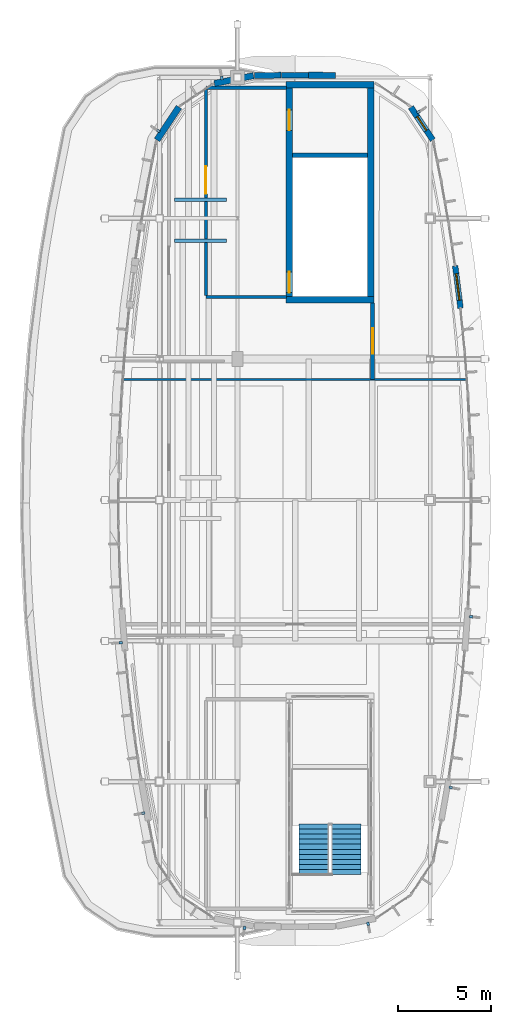
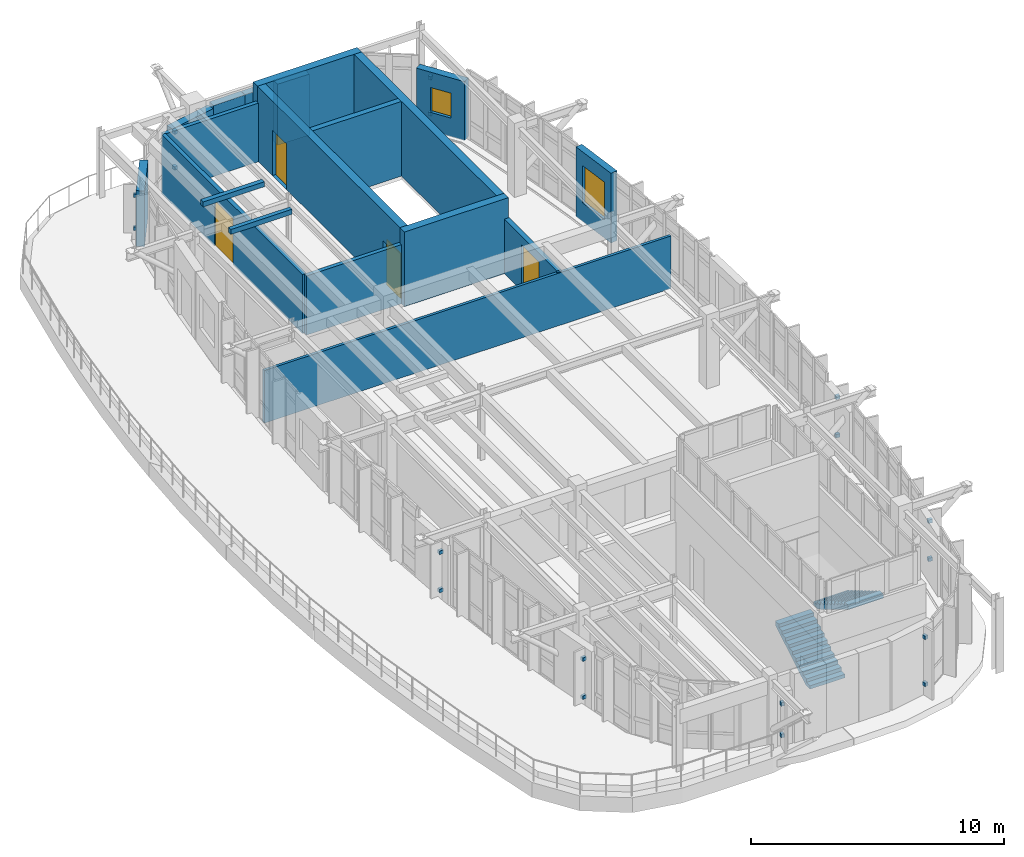
# One storey, part 17 of 20: 19 walls, 18 discrete accessories, 4 doors, 2 stair flights, 2 windows, 6 openings, 1 element without a shape of its own.
"""IFC4 building model written with IfcOpenShell, lengths in metres."""

from ifc_helpers import new_model, si_unit, direction, frame, frame_2d, origin, origin_2d, place, context, subcontext, project, spatial, polyline, rectangle, outline, extrude, material, layer, layer_set, type_object, element, fill, aggregate, save


model = new_model("IFC4")

# Units and contexts
model_context = context("Model", 3, precision=1e-05, world=origin(), true_north=direction((0.0, 1.0)))
body_context = subcontext(model_context, "Body", "Model", "MODEL_VIEW")
ifc_project = project(units=[si_unit("LENGTHUNIT", "METRE"), si_unit("AREAUNIT", "SQUARE_METRE"), si_unit("VOLUMEUNIT", "CUBIC_METRE"), si_unit("PLANEANGLEUNIT", "RADIAN"), si_unit("MASSUNIT", "GRAM", prefix="KILO")], contexts=[model_context])

# Site, building, storey
site_placement = place(None, origin())
site = spatial("IfcSite", under=ifc_project, at=site_placement, CompositionType="ELEMENT")
building_placement = place(site_placement, origin())
building = spatial("IfcBuilding", under=site, at=building_placement, Name="Corveleigh Park Community Centre", CompositionType="ELEMENT")
storey_placement = place(building_placement, frame((0.0, 0.0, 19.800048828125)))
storey = spatial("IfcBuildingStorey", under=building, at=storey_placement, Name="L05", CompositionType="ELEMENT", Elevation=19.800048828125)

# Wall, opening, window
ifc_material_1 = material(Name="Precast concrete C40/50", Category="concrete")
ifc_layer_1 = layer(ifc_material_1, 0.300048828125, Name="Precast concrete C40/50", Category="concrete")
ifc_layer_set_1 = layer_set([ifc_layer_1], Name="Precast concrete C40/50")
wall_type_1 = type_object("IfcWallType", Name="WL-EXT-300", PredefinedType="STANDARD", material=ifc_layer_set_1)
wall_1_placement = place(storey_placement, frame((169.7490234375, 94.034912109375, 0.0), z_axis=(0.0, 0.0, 1.0), x_axis=(0.124832313753, -0.992177853735, 0.0)))
wall_1 = element("IfcWall", 1, at=wall_1_placement, inside=storey, type_object=wall_type_1, Name="V4 L05 Precast Facade Wall", PredefinedType="STANDARD", context=body_context, shape_type="SweptSolid", body=[
    extrude(rectangle(XDim=2.298095703125, YDim=0.300048828125, at=frame_2d((1.14892578125, 0.0))), origin(), (0.0, 0.0, 1.0), 3.364013671875),
])
opening_1_placement = place(wall_1_placement, frame((0.424072265625, 0.0, 0.89990234375)))
opening_1 = element("IfcOpeningElement", 2, at=opening_1_placement, cuts=wall_1, Name="Opening W10", PredefinedType="OPENING", context=body_context, shape_type="SweptSolid", body=[
    extrude(rectangle(XDim=1.449951171875, YDim=1.800048828125, at=frame_2d((0.72509765625, 0.89990234375))), frame((0.0, 0.159912109375, 0.0), z_axis=(0.0, -1.0, 0.0), x_axis=(1.0, 0.0, 0.0)), (0.0, 0.0, 1.0), 0.320068359375),
])
ifc_material_2 = material(Name="Low-E double glazing", Category="glass")
window_type_1 = type_object("IfcWindowType", Name="WIN-EXT-1450x1800", PartitioningType="SINGLE_PANEL", PredefinedType="WINDOW", material=ifc_material_2)
window_1_placement = place(opening_1_placement, origin())
window_1 = element("IfcWindow", 3, at=window_1_placement, inside=storey, type_object=window_type_1, Name="V4 L05 Window 82", OverallHeight=1.800048828125, OverallWidth=1.449951171875, PartitioningType="SINGLE_PANEL", PredefinedType="WINDOW", context=body_context, shape_type="SweptSolid", body=[
    extrude(rectangle(XDim=1.449951171875, YDim=1.800048828125, at=frame_2d((0.72509765625, 0.89990234375))), frame((0.0, 0.030029296875, 0.0), z_axis=(0.0, -1.0, 0.0), x_axis=(1.0, 0.0, 0.0)), (0.0, 0.0, 1.0), 0.06005859375),
])
fill(opening_1, window_1)

# Wall
wall_2_placement = place(storey_placement, frame((160.37109375, 104.322998046875, 0.0), z_axis=(0.0, 0.0, 1.0), x_axis=(1.0, 0.0, 0.0)))
element("IfcWall", 4, at=wall_2_placement, inside=storey, type_object=wall_type_1, Name="V4 L05 Precast Facade Wall", PredefinedType="STANDARD", context=body_context, shape_type="SweptSolid", body=[
    extrude(rectangle(XDim=1.4580078125, YDim=0.300048828125, at=frame_2d((0.72900390625, 0.0))), origin(), (0.0, 0.0, 1.0), 2.949951171875),
])

# Wall, opening, window
ifc_layer_2 = layer(ifc_material_1, 0.320068359375, Name="Precast concrete C40/50", Category="concrete")
ifc_layer_set_2 = layer_set([ifc_layer_2], Name="Precast concrete C40/50")
wall_type_2 = type_object("IfcWallType", Name="WL-EXT-320", PredefinedType="STANDARD", material=ifc_layer_set_2)
wall_3_placement = place(storey_placement, frame((167.35888671875, 102.596923828125, 0.0), z_axis=(0.0, 0.0, 1.0), x_axis=(0.555493531305, -0.831520857633, 0.0)))
wall_3 = element("IfcWall", 5, at=wall_3_placement, inside=storey, type_object=wall_type_2, Name="V4 L05 Precast Facade Wall", PredefinedType="STANDARD", context=body_context, shape_type="SweptSolid", body=[
    extrude(rectangle(XDim=2.1298828125, YDim=0.320068359375, at=frame_2d((1.06494140625, 0.0))), origin(), (0.0, 0.0, 1.0), 2.83984375),
])
opening_2_placement = place(wall_3_placement, frame((0.614990234375, 0.0, 0.89990234375)))
opening_2 = element("IfcOpeningElement", 6, at=opening_2_placement, cuts=wall_3, Name="Opening W01", PredefinedType="OPENING", context=body_context, shape_type="SweptSolid", body=[
    extrude(rectangle(XDim=0.89990234375, YDim=1.199951171875, at=frame_2d((0.449951171875, 0.60009765625))), frame((0.0, 0.169921875, 0.0), z_axis=(0.0, -1.0, 0.0), x_axis=(1.0, 0.0, 0.0)), (0.0, 0.0, 1.0), 0.340087890625),
])
window_type_2 = type_object("IfcWindowType", Name="WIN-EXT-0900x1200", PartitioningType="SINGLE_PANEL", PredefinedType="WINDOW", material=ifc_material_2)
window_2_placement = place(opening_2_placement, origin())
window_2 = element("IfcWindow", 7, at=window_2_placement, inside=storey, type_object=window_type_2, Name="V4 L05 Window 83", OverallHeight=1.199951171875, OverallWidth=0.89990234375, PartitioningType="SINGLE_PANEL", PredefinedType="WINDOW", context=body_context, shape_type="SweptSolid", body=[
    extrude(rectangle(XDim=0.89990234375, YDim=1.199951171875, at=frame_2d((0.449951171875, 0.60009765625))), frame((0.0, 0.030029296875, 0.0), z_axis=(0.0, -1.0, 0.0), x_axis=(1.0, 0.0, 0.0)), (0.0, 0.0, 1.0), 0.06005859375),
])
fill(opening_2, window_2)

# Walls
wall_4_placement = place(storey_placement, frame((158.912109375, 104.300048828125, 0.0), z_axis=(0.0, 0.0, 1.0), x_axis=(0.999873535579, 0.015903233899, 0.0)))
element("IfcWall", 8, at=wall_4_placement, inside=storey, type_object=wall_type_2, Name="V4 L05 Precast Facade Wall", PredefinedType="STANDARD", context=body_context, shape_type="SweptSolid", body=[
    extrude(rectangle(XDim=1.443115234375, YDim=0.320068359375, at=frame_2d((0.7216796875, 0.0))), origin(), (0.0, 0.0, 1.0), 2.949951171875),
])
ifc_layer_3 = layer(ifc_material_1, 0.340087890625, Name="Precast concrete C40/50", Category="concrete")
ifc_layer_set_3 = layer_set([ifc_layer_3], Name="Precast concrete C40/50")
wall_type_3 = type_object("IfcWallType", Name="WL-EXT-340", PredefinedType="STANDARD", material=ifc_layer_set_3)
wall_5_placement = place(storey_placement, frame((161.844970703125, 104.322998046875, 0.0), z_axis=(0.0, 0.0, 1.0), x_axis=(0.999873578357, -0.015900544132, 0.0)))
element("IfcWall", 9, at=wall_5_placement, inside=storey, type_object=wall_type_3, Name="V4 L05 Precast Facade Wall", PredefinedType="STANDARD", context=body_context, shape_type="SweptSolid", body=[
    extrude(rectangle(XDim=1.443359375, YDim=0.340087890625, at=frame_2d((0.7216796875, 0.0))), origin(), (0.0, 0.0, 1.0), 2.949951171875),
])
wall_6_placement = place(storey_placement, frame((156.7548828125, 103.8759765625, 0.0), z_axis=(0.0, 0.0, 1.0), x_axis=(0.980837468909, 0.19482776903, 0.0)))
element("IfcWall", 10, at=wall_6_placement, inside=storey, type_object=wall_type_3, Name="V4 L05 Precast Facade Wall", PredefinedType="STANDARD", context=body_context, shape_type="SweptSolid", body=[
    extrude(rectangle(XDim=2.150390625, YDim=0.340087890625, at=frame_2d((1.0751953125, 0.0))), origin(), (0.0, 0.0, 1.0), 2.824951171875),
])
wall_7_placement = place(storey_placement, frame((153.657958984375, 100.825927734375, 0.0), z_axis=(0.0, 0.0, 1.0), x_axis=(0.555493531305, 0.831520857633, 0.0)))
element("IfcWall", 11, at=wall_7_placement, inside=storey, type_object=wall_type_3, Name="V4 L05 Precast Facade Wall", PredefinedType="STANDARD", context=body_context, shape_type="SweptSolid", body=[
    extrude(rectangle(XDim=2.1298828125, YDim=0.340087890625, at=frame_2d((1.06494140625, 0.0))), origin(), (0.0, 0.0, 1.0), 2.69189453125),
])
ifc_layer_4 = layer(ifc_material_1, 0.18505859375, Name="Precast concrete C40/50", Category="concrete")
ifc_layer_set_4 = layer_set([ifc_layer_4], Name="Precast concrete C40/50")
wall_type_4 = type_object("IfcWallType", Name="WL-PRP-185", PredefinedType="PARAPET", material=ifc_layer_set_4)
wall_8_placement = place(storey_placement, frame((154.60009765625, 95.39990234375, 3.599853515625), z_axis=(0.0, 0.0, 1.0), x_axis=(1.0, 0.0, 0.0)))
element("IfcWall", 12, at=wall_8_placement, inside=storey, type_object=wall_type_4, Name="Skylight upstand curb parapet 9", PredefinedType="PARAPET", context=body_context, shape_type="SweptSolid", body=[
    extrude(rectangle(XDim=2.7998046875, YDim=0.18505859375, at=frame_2d((1.39990234375, 0.0))), origin(), (0.0, 0.0, 1.0), 0.239990234375),
])
ifc_layer_5 = layer(ifc_material_1, 0.205078125, Name="Precast concrete C40/50", Category="concrete")
ifc_layer_set_5 = layer_set([ifc_layer_5], Name="Precast concrete C40/50")
wall_type_5 = type_object("IfcWallType", Name="WL-PRP-205", PredefinedType="PARAPET", material=ifc_layer_set_5)
wall_9_placement = place(storey_placement, frame((157.39990234375, 97.60009765625, 3.599853515625), z_axis=(0.0, 0.0, 1.0), x_axis=(-1.0, 0.0, 0.0)))
element("IfcWall", 13, at=wall_9_placement, inside=storey, type_object=wall_type_5, Name="Skylight upstand curb parapet 10", PredefinedType="PARAPET", context=body_context, shape_type="SweptSolid", body=[
    extrude(rectangle(XDim=2.7998046875, YDim=0.205078125, at=frame_2d((1.39990234375, 0.0))), origin(), (0.0, 0.0, 1.0), 0.239990234375),
])
ifc_material_3 = material(Name="Gypsum acoustic stud partition", Category="gypsum")
ifc_layer_6 = layer(ifc_material_3, 0.125, Name="Gypsum acoustic stud partition", Category="gypsum")
ifc_layer_set_6 = layer_set([ifc_layer_6], Name="Gypsum acoustic stud partition")
wall_type_6 = type_object("IfcWallType", Name="WL-PRT-125", PredefinedType="PARTITIONING", material=ifc_layer_set_6)
wall_10_placement = place(storey_placement, frame((151.81689453125, 87.89990234375, 0.0), z_axis=(0.0, 0.0, 1.0), x_axis=(1.0, 0.0, 0.0)))
element("IfcWall", 14, at=wall_10_placement, inside=storey, type_object=wall_type_6, Name="Community Art Gallery partition", PredefinedType="PARTITIONING", context=body_context, shape_type="SweptSolid", body=[
    extrude(rectangle(XDim=18.566162109375, YDim=0.125, at=frame_2d((9.283203125, 0.0))), origin(), (0.0, 0.0, 1.0), 2.537841796875),
])
ifc_layer_7 = layer(ifc_material_3, 0.179931640625, Name="Gypsum acoustic stud partition", Category="gypsum")
ifc_layer_set_7 = layer_set([ifc_layer_7], Name="Gypsum acoustic stud partition")
wall_type_7 = type_object("IfcWallType", Name="WL-PRT-180", PredefinedType="PARTITIONING", material=ifc_layer_set_7)
wall_11_placement = place(storey_placement, frame((156.300048828125, 92.35009765625, 0.0), z_axis=(0.0, 0.0, 1.0), x_axis=(1.0, 0.0, 0.0)))
element("IfcWall", 15, at=wall_11_placement, inside=storey, type_object=wall_type_7, Name="CORE2 lobby south wall", PredefinedType="PARTITIONING", context=body_context, shape_type="SweptSolid", body=[
    extrude(rectangle(XDim=4.33984375, YDim=0.179931640625, at=frame_2d((2.169921875, 0.0))), origin(), (0.0, 0.0, 1.0), 2.849853515625),
])
wall_12_placement = place(storey_placement, frame((160.639892578125, 103.64990234375, 0.0), z_axis=(0.0, 0.0, 1.0), x_axis=(-1.0, 0.0, 0.0)))
element("IfcWall", 16, at=wall_12_placement, inside=storey, type_object=wall_type_7, Name="CORE2 lobby north wall", PredefinedType="PARTITIONING", context=body_context, shape_type="SweptSolid", body=[
    extrude(rectangle(XDim=4.33984375, YDim=0.179931640625, at=frame_2d((2.169921875, 0.0))), origin(), (0.0, 0.0, 1.0), 2.824951171875),
])

# Wall, opening, door
wall_13_placement = place(storey_placement, frame((156.300048828125, 103.570068359375, 0.0), z_axis=(0.0, 0.0, 1.0), x_axis=(0.0, -1.0, 0.0)))
wall_13 = element("IfcWall", 17, at=wall_13_placement, inside=storey, type_object=wall_type_7, Name="CORE2 lobby corridor wall", PredefinedType="PARTITIONING", context=body_context, shape_type="SweptSolid", body=[
    extrude(rectangle(XDim=11.14013671875, YDim=0.179931640625, at=frame_2d((5.570068359375, 0.0))), origin(), (0.0, 0.0, 1.0), 2.849853515625),
])
opening_3_placement = place(wall_13_placement, frame((4.169921875, 0.0, 0.0)))
opening_3 = element("IfcOpeningElement", 18, at=opening_3_placement, cuts=wall_13, Name="Opening FD01", PredefinedType="OPENING", context=body_context, shape_type="SweptSolid", body=[
    extrude(rectangle(XDim=1.47998046875, YDim=2.219970703125, at=frame_2d((0.739990234375, 1.10986328125))), frame((0.0, 0.099853515625, 0.0), z_axis=(0.0, -1.0, 0.0), x_axis=(1.0, 0.0, 0.0)), (0.0, 0.0, 1.0), 0.199951171875),
])
ifc_material_4 = material(Name="Hardwood acoustic door leaf", Category="wood")
door_type_1 = type_object("IfcDoorType", Name="DR-FIR-1480x2220", OperationType="DOUBLE_DOOR_SINGLE_SWING", PredefinedType="DOOR", material=ifc_material_4)
door_1_placement = place(opening_3_placement, origin())
door_1 = element("IfcDoor", 19, at=door_1_placement, inside=storey, type_object=door_type_1, Name="Lobby CORE2 corridor door L05", OperationType="DOUBLE_DOOR_SINGLE_SWING", OverallHeight=2.219970703125, OverallWidth=1.47998046875, PredefinedType="DOOR", context=body_context, shape_type="SweptSolid", body=[
    extrude(rectangle(XDim=1.47998046875, YDim=2.219970703125, at=frame_2d((0.739990234375, 1.10986328125))), frame((0.0, 0.02490234375, 0.0), z_axis=(0.0, -1.0, 0.0), x_axis=(1.0, 0.0, 0.0)), (0.0, 0.0, 1.0), 0.050048828125),
])
fill(opening_3, door_1)

ifc_material_5 = material(Name="Masonry blockwork 7.3 MPa", Category="masonry")
ifc_layer_8 = layer(ifc_material_5, 0.215087890625, Name="Masonry blockwork 7.3 MPa", Category="masonry")
ifc_layer_set_8 = layer_set([ifc_layer_8], Name="Masonry blockwork 7.3 MPa")
wall_type_8 = type_object("IfcWallType", Name="WL-PRT-215", PredefinedType="PARTITIONING", material=ifc_layer_set_8)
wall_14_placement = place(storey_placement, frame((165.300048828125, 87.89990234375, 0.0), z_axis=(0.0, 0.0, 1.0), x_axis=(0.0, 1.0, 0.0)))
wall_14 = element("IfcWall", 20, at=wall_14_placement, inside=storey, type_object=wall_type_8, Name="Botanical Ecology Seminar Room corridor wall", PredefinedType="PARTITIONING", context=body_context, shape_type="SweptSolid", body=[
    extrude(rectangle(XDim=4.13720703125, YDim=0.215087890625, at=frame_2d((2.068603515625, 0.0))), origin(), (0.0, 0.0, 1.0), 2.625),
])
opening_4_placement = place(wall_14_placement, frame((1.37890625, 0.0, 0.0)))
opening_4 = element("IfcOpeningElement", 21, at=opening_4_placement, cuts=wall_14, Name="Opening FD02", PredefinedType="OPENING", context=body_context, shape_type="SweptSolid", body=[
    extrude(rectangle(XDim=1.3798828125, YDim=2.199951171875, at=frame_2d((0.68994140625, 1.10009765625))), frame((0.0, 0.117431640625, 0.0), z_axis=(0.0, -1.0, 0.0), x_axis=(1.0, 0.0, 0.0)), (0.0, 0.0, 1.0), 0.235107421875),
])
door_type_2 = type_object("IfcDoorType", Name="DR-FIR-1380x2200", OperationType="DOUBLE_DOOR_SINGLE_SWING", PredefinedType="DOOR", material=ifc_material_4)
door_2_placement = place(opening_4_placement, origin())
door_2 = element("IfcDoor", 22, at=door_2_placement, inside=storey, type_object=door_type_2, Name="Botanical Ecology Seminar Room door", OperationType="DOUBLE_DOOR_SINGLE_SWING", OverallHeight=2.199951171875, OverallWidth=1.3798828125, PredefinedType="DOOR", context=body_context, shape_type="SweptSolid", body=[
    extrude(rectangle(XDim=1.3798828125, YDim=2.199951171875, at=frame_2d((0.68994140625, 1.10009765625))), frame((0.0, 0.02490234375, 0.0), z_axis=(0.0, -1.0, 0.0), x_axis=(1.0, 0.0, 0.0)), (0.0, 0.0, 1.0), 0.050048828125),
])
fill(opening_4, door_2)

# Walls
ifc_material_6 = material(Name="Concrete C40/50", Category="concrete")
ifc_layer_9 = layer(ifc_material_6, 0.25, Name="Concrete C40/50", Category="concrete")
ifc_layer_set_9 = layer_set([ifc_layer_9], Name="Concrete C40/50")
wall_type_9 = type_object("IfcWallType", Name="WL-SHR-250", PredefinedType="SHEAR", material=ifc_layer_set_9)
wall_15_placement = place(storey_placement, frame((160.97509765625, 100.0, 0.0), z_axis=(0.0, 0.0, 1.0), x_axis=(1.0, 0.0, 0.0)))
element("IfcWall", 23, at=wall_15_placement, inside=storey, type_object=wall_type_9, Name="CORE2 shaft wall", PredefinedType="SHEAR", context=body_context, shape_type="SweptSolid", body=[
    extrude(rectangle(XDim=4.0498046875, YDim=0.25, at=frame_2d((2.02490234375, 0.0))), origin(), (0.0, 0.0, 1.0), 3.599853515625),
])
ifc_layer_10 = layer(ifc_material_6, 0.35009765625, Name="Concrete C40/50", Category="concrete")
ifc_layer_set_10 = layer_set([ifc_layer_10], Name="Concrete C40/50")
wall_type_10 = type_object("IfcWallType", Name="WL-SHR-350", PredefinedType="SHEAR", material=ifc_layer_set_10)
wall_16_placement = place(storey_placement, frame((160.625, 92.199951171875, 0.0), z_axis=(0.0, 0.0, 1.0), x_axis=(1.0, 0.0, 0.0)))
element("IfcWall", 24, at=wall_16_placement, inside=storey, type_object=wall_type_10, Name="CORE2 south shear wall", PredefinedType="SHEAR", context=body_context, shape_type="SweptSolid", body=[
    extrude(rectangle(XDim=4.75, YDim=0.35009765625, at=frame_2d((2.375, 0.0))), origin(), (0.0, 0.0, 1.0), 3.599853515625),
])
wall_17_placement = place(storey_placement, frame((165.199951171875, 92.375, 0.0), z_axis=(0.0, 0.0, 1.0), x_axis=(0.0, 1.0, 0.0)))
element("IfcWall", 25, at=wall_17_placement, inside=storey, type_object=wall_type_10, Name="CORE2 east shear wall", PredefinedType="SHEAR", context=body_context, shape_type="SweptSolid", body=[
    extrude(rectangle(XDim=11.25, YDim=0.35009765625, at=frame_2d((5.625, 0.0))), origin(), (0.0, 0.0, 1.0), 3.599853515625),
])
wall_18_placement = place(storey_placement, frame((165.375, 103.800048828125, 0.0), z_axis=(0.0, 0.0, 1.0), x_axis=(-1.0, 0.0, 0.0)))
element("IfcWall", 26, at=wall_18_placement, inside=storey, type_object=wall_type_10, Name="CORE2 north shear wall", PredefinedType="SHEAR", context=body_context, shape_type="SweptSolid", body=[
    extrude(rectangle(XDim=4.75, YDim=0.35009765625, at=frame_2d((2.375, 0.0))), origin(), (0.0, 0.0, 1.0), 3.599853515625),
])

# Wall, openings, doors
wall_19_placement = place(storey_placement, frame((160.800048828125, 103.625, 0.0), z_axis=(0.0, 0.0, 1.0), x_axis=(0.0, -1.0, 0.0)))
wall_19 = element("IfcWall", 27, at=wall_19_placement, inside=storey, type_object=wall_type_10, Name="CORE2 west lobby wall", PredefinedType="SHEAR", context=body_context, shape_type="SweptSolid", body=[
    extrude(rectangle(XDim=11.25, YDim=0.35009765625, at=frame_2d((5.625, 0.0))), origin(), (0.0, 0.0, 1.0), 3.599853515625),
])
opening_5_placement = place(wall_19_placement, frame((1.175048828125, 0.0, 0.0)))
opening_5 = element("IfcOpeningElement", 28, at=opening_5_placement, cuts=wall_19, Name="Opening LD01", PredefinedType="OPENING", context=body_context, shape_type="SweptSolid", body=[
    extrude(rectangle(XDim=1.10009765625, YDim=2.199951171875, at=frame_2d((0.550048828125, 1.10009765625))), frame((0.0, 0.18505859375, 0.0), z_axis=(0.0, -1.0, 0.0), x_axis=(1.0, 0.0, 0.0)), (0.0, 0.0, 1.0), 0.3701171875),
])
opening_6_placement = place(wall_19_placement, frame((9.9150390625, 0.0, 0.0)))
opening_6 = element("IfcOpeningElement", 29, at=opening_6_placement, cuts=wall_19, Name="Opening FD03", PredefinedType="OPENING", context=body_context, shape_type="SweptSolid", body=[
    extrude(rectangle(XDim=1.1201171875, YDim=2.159912109375, at=frame_2d((0.56005859375, 1.080078125))), frame((0.0, 0.18505859375, 0.0), z_axis=(0.0, -1.0, 0.0), x_axis=(1.0, 0.0, 0.0)), (0.0, 0.0, 1.0), 0.3701171875),
])
door_type_3 = type_object("IfcDoorType", Name="DR-FIR-1120x2160", OperationType="NOTDEFINED", PredefinedType="DOOR", material=ifc_material_4)
door_3_placement = place(opening_6_placement, origin())
door_3 = element("IfcDoor", 30, at=door_3_placement, inside=storey, type_object=door_type_3, Name="Stair ST2 fire door L05", OperationType="SINGLE_SWING_LEFT", OverallHeight=2.159912109375, OverallWidth=1.1201171875, PredefinedType="DOOR", context=body_context, shape_type="SweptSolid", body=[
    extrude(rectangle(XDim=1.1201171875, YDim=2.159912109375, at=frame_2d((0.56005859375, 1.080078125))), frame((0.0, 0.02490234375, 0.0), z_axis=(0.0, -1.0, 0.0), x_axis=(1.0, 0.0, 0.0)), (0.0, 0.0, 1.0), 0.050048828125),
])
fill(opening_6, door_3)
ifc_material_7 = material(Name="Brushed stainless steel lift car", Category="steel")
door_type_4 = type_object("IfcDoorType", Name="DR-LFT-1100x2200", OperationType="DOUBLE_DOOR_SLIDING", PredefinedType="DOOR", material=ifc_material_7)
door_4_placement = place(opening_5_placement, origin())
door_4 = element("IfcDoor", 31, at=door_4_placement, inside=storey, type_object=door_type_4, Name="Lift FL2 landing door L05", OperationType="DOUBLE_DOOR_SLIDING", OverallHeight=2.199951171875, OverallWidth=1.10009765625, PredefinedType="DOOR", context=body_context, shape_type="SweptSolid", body=[
    extrude(rectangle(XDim=1.10009765625, YDim=2.199951171875, at=frame_2d((0.550048828125, 1.10009765625))), frame((0.0, 0.02490234375, 0.0), z_axis=(0.0, -1.0, 0.0), x_axis=(1.0, 0.0, 0.0)), (0.0, 0.0, 1.0), 0.050048828125),
])
fill(opening_5, door_4)

# Stair, stair flights
ifc_material_8 = material(Name="Concrete C32/40", Category="concrete")
stair_type = type_object("IfcStairType", Name="STR-HT-1600-360", PredefinedType="USERDEFINED", material=ifc_material_8)
stair_placement = place(storey_placement, origin())
stair = element("IfcStair", 32, at=stair_placement, inside=storey, type_object=stair_type, Name="Protected escape stair ST1 (L05 to Roof)", ObjectType="TWO_RETURN_STAIR", PredefinedType="USERDEFINED")
ifc_layer_11 = layer(ifc_material_8, 0.179931640625, Name="Concrete C32/40", Category="concrete")
ifc_layer_set_11 = layer_set([ifc_layer_11], Name="Concrete C32/40")
stair_flight_type = type_object("IfcStairFlightType", Name="FLG-RC-1600", PredefinedType="STRAIGHT", material=ifc_layer_set_11)
stair_flight_1_placement = place(storey_placement, frame((162.1298828125, 61.179931640625, 0.0), z_axis=(0.0, 0.0, 1.0), x_axis=(0.0, 1.0, 0.0)))
stair_flight_1 = element("IfcStairFlight", 33, at=stair_flight_1_placement, type_object=stair_flight_type, Name="ST1 flight 1", NumberOfRisers=11, NumberOfTreads=10, PredefinedType="STRAIGHT", RiserHeight=0.16364, TreadLength=0.275, context=body_context, shape_type="SweptSolid", body=[
    extrude(outline(polyline([(0.0, 0.0), (0.0, 0.16357421875), (0.27490234375, 0.16357421875), (0.27490234375, 0.327392578125), (0.550048828125, 0.327392578125), (0.550048828125, 0.490966796875), (0.824951171875, 0.490966796875), (0.824951171875, 0.654541015625), (1.10009765625, 0.654541015625), (1.10009765625, 0.818115234375), (1.375, 0.818115234375), (1.375, 0.98193359375), (1.64990234375, 0.98193359375), (1.64990234375, 1.1455078125), (1.925048828125, 1.1455078125), (1.925048828125, 1.30908203125), (2.199951171875, 1.30908203125), (2.199951171875, 1.47265625), (2.47509765625, 1.47265625), (2.47509765625, 1.636474609375), (2.75, 1.636474609375), (2.75, 1.800048828125), (2.75, 1.427001953125), (0.351806640625, 0.0), (0.0, 0.0)])), frame((0.0, 0.800048828125, 0.0), z_axis=(0.0, -1.0, 0.0), x_axis=(1.0, 0.0, 0.0)), (0.0, 0.0, 1.0), 1.60009765625),
])
stair_flight_2_placement = place(storey_placement, frame((163.8701171875, 63.929931640625, 1.800048828125), z_axis=(0.0, 0.0, 1.0), x_axis=(0.0, -1.0, 0.0)))
stair_flight_2 = element("IfcStairFlight", 34, at=stair_flight_2_placement, type_object=stair_flight_type, Name="ST1 flight 2", NumberOfRisers=11, NumberOfTreads=10, PredefinedType="STRAIGHT", RiserHeight=0.16364, TreadLength=0.275, context=body_context, shape_type="SweptSolid", body=[
    extrude(outline(polyline([(0.0, 0.0), (0.0, 0.16357421875), (0.27490234375, 0.16357421875), (0.27490234375, 0.327392578125), (0.550048828125, 0.327392578125), (0.550048828125, 0.490966796875), (0.824951171875, 0.490966796875), (0.824951171875, 0.654541015625), (1.10009765625, 0.654541015625), (1.10009765625, 0.818115234375), (1.375, 0.818115234375), (1.375, 0.98193359375), (1.64990234375, 0.98193359375), (1.64990234375, 1.1455078125), (1.925048828125, 1.1455078125), (1.925048828125, 1.30908203125), (2.199951171875, 1.30908203125), (2.199951171875, 1.47265625), (2.47509765625, 1.47265625), (2.47509765625, 1.636474609375), (2.75, 1.636474609375), (2.75, 1.800048828125), (2.75, 1.427001953125), (0.351806640625, 0.0), (0.0, 0.0)])), frame((0.0, 0.800048828125, 0.0), z_axis=(0.0, -1.0, 0.0), x_axis=(1.0, 0.0, 0.0)), (0.0, 0.0, 1.0), 1.60009765625),
])
aggregate(stair, [stair_flight_1, stair_flight_2])

# Discrete accessories
ifc_material_9 = material(Name="Stainless steel 316 balustrade", Category="steel")
discrete_accessory_type = type_object("IfcDiscreteAccessoryType", Name="ACC-BRK-STL", PredefinedType="BRACKET", material=ifc_material_9)
for number, where, z_axis, x_axis, name in (
    (35, (165.044921875, 58.530029296875, 0.5), (0.0, 0.0, 1.0), (0.194863866686, -0.980830297993, 0.0), "Fin fixing bracket lower"),
    (36, (165.044921875, 58.530029296875, 2.763916015625), (0.0, 0.0, 1.0), (0.194863866686, -0.980830297993, 0.0), "Fin fixing bracket upper"),
    (37, (169.510009765625, 65.883056640625, 0.5), (0.0, 0.0, 1.0), (0.984735333655, -0.174058388626, 0.0), "Fin fixing bracket lower"),
    (38, (169.510009765625, 65.883056640625, 2.343017578125), (0.0, 0.0, 1.0), (0.984735333655, -0.174058388626, 0.0), "Fin fixing bracket upper"),
    (39, (170.60595703125, 75.093994140625, 0.5), (0.0, 0.0, 1.0), (0.997228438227, -0.074400551014, 0.0), "Fin fixing bracket lower"),
    (40, (170.60595703125, 75.093994140625, 2.343017578125), (0.0, 0.0, 1.0), (0.997228438227, -0.074400551014, 0.0), "Fin fixing bracket upper"),
    (41, (167.77490234375, 102.333984375, 0.5), (0.0, 0.0, 1.0), (0.831544296886, 0.555458443376, 0.0), "Fin fixing bracket lower"),
    (42, (167.77490234375, 102.333984375, 2.239990234375), (0.0, 0.0, 1.0), (0.831544296886, 0.555458443376, 0.0), "Fin fixing bracket upper"),
    (43, (157.155029296875, 104.169921875, 0.5), (0.0, 0.0, 1.0), (-0.194863866686, 0.980830297993, 0.0), "Fin fixing bracket lower"),
    (44, (157.155029296875, 104.169921875, 2.22509765625), (0.0, 0.0, 1.0), (-0.194863866686, 0.980830297993, 0.0), "Fin fixing bracket upper"),
    (45, (153.73291015625, 101.31689453125, 0.5), (0.0, 0.0, 1.0), (-0.831544296886, 0.555458443376, 0.0), "Fin fixing bracket lower"),
    (46, (153.73291015625, 101.31689453125, 2.092041015625), (0.0, 0.0, 1.0), (-0.831544296886, 0.555458443376, 0.0), "Fin fixing bracket upper"),
    (47, (151.697998046875, 73.699951171875, 0.5), (0.0, 0.0, 1.0), (-0.997228438227, -0.074400551014, 0.0), "Fin fixing bracket lower"),
    (48, (151.697998046875, 73.699951171875, 2.343017578125), (0.0, 0.0, 1.0), (-0.997228438227, -0.074400551014, 0.0), "Fin fixing bracket upper"),
    (49, (152.9140625, 64.5029296875, 0.5), (0.0, 0.0, 1.0), (-0.984735333655, -0.174058388626, 0.0), "Fin fixing bracket lower"),
    (50, (152.9140625, 64.5029296875, 2.343017578125), (0.0, 0.0, 1.0), (-0.984735333655, -0.174058388626, 0.0), "Fin fixing bracket upper"),
    (51, (158.385986328125, 58.305908203125, 0.5), (0.0, 0.0, 1.0), (-0.194863866686, -0.980830297993, 0.0), "Fin fixing bracket lower"),
    (52, (158.385986328125, 58.305908203125, 2.02001953125), (0.0, 0.0, 1.0), (-0.194863866686, -0.980830297993, 0.0), "Fin fixing bracket upper"),
):
    element("IfcDiscreteAccessory", number, at=place(storey_placement, frame(where, z_axis=z_axis, x_axis=x_axis)), inside=storey, type_object=discrete_accessory_type, Name=name, PredefinedType="BRACKET", context=body_context, shape_type="SweptSolid", body=[
        extrude(rectangle(XDim=0.179931640625, YDim=0.139892578125, at=origin_2d()), origin(), (0.0, 0.0, 1.0), 0.169921875),
    ])

save(model, "model.ifc")
